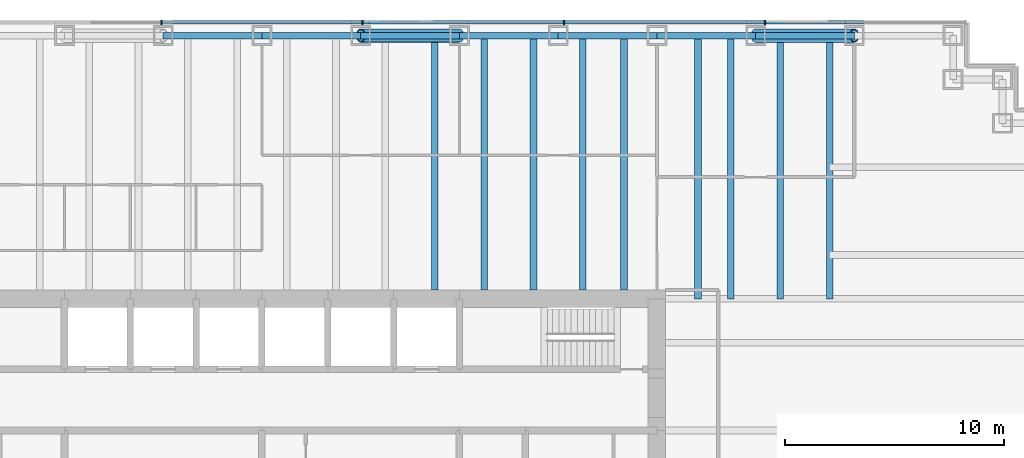
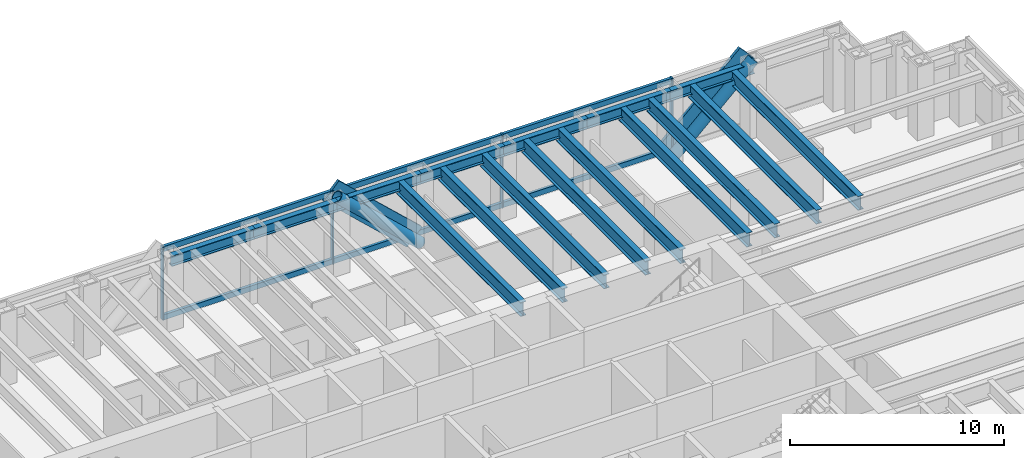
# One storey, part 7 of 19: 16 beams, 14 members, 1 element without a shape of its own.
"""IFC4 building model written with IfcOpenShell, lengths in metres."""

from ifc_helpers import new_model, si_unit, direction, frame, origin, origin_2d, place, context, subcontext, project, spatial, rectangle, hollow_circle, i_section, extrude, material, material_profile, profile_set, type_object, element, aggregate, save


model = new_model("IFC4")

# Units and contexts
model_context = context("Model", 3, precision=1e-05, world=origin(), true_north=direction((0.0, 1.0)))
body_context = subcontext(model_context, "Body", "Model", "MODEL_VIEW")
ifc_project = project(units=[si_unit("LENGTHUNIT", "METRE"), si_unit("AREAUNIT", "SQUARE_METRE"), si_unit("VOLUMEUNIT", "CUBIC_METRE"), si_unit("PLANEANGLEUNIT", "RADIAN"), si_unit("MASSUNIT", "GRAM", prefix="KILO")], contexts=[model_context])

# Site, building, storey
site_placement = place(None, origin())
site = spatial("IfcSite", under=ifc_project, at=site_placement, CompositionType="ELEMENT")
building_placement = place(site_placement, origin())
building = spatial("IfcBuilding", under=site, at=building_placement, Name="Rheinbord Bourse Tower", CompositionType="ELEMENT")
storey_placement = place(building_placement, frame((0.0, 0.0, 206.800048828125)))
storey = spatial("IfcBuildingStorey", under=building, at=storey_placement, Name="L46", CompositionType="ELEMENT", Elevation=206.800048828125)

# Curtain wall, members
ifc_material_1 = material(Name="Dark glass and black aluminium", Category="aluminium")
curtain_wall_type = type_object("IfcCurtainWallType", Name="CW2 DARK GLASS CURTAIN WALL", PredefinedType="USERDEFINED", material=ifc_material_1)
curtain_wall_placement = place(storey_placement, origin())
curtain_wall = element("IfcCurtainWall", 1, at=curtain_wall_placement, inside=storey, type_object=curtain_wall_type, Name="Curtain wall CW2 N L46", ObjectType="UNITISED CURTAIN WALL", PredefinedType="USERDEFINED")
ifc_material_2 = material(Name="Black anodised aluminium", Category="aluminium")
ifc_material_profile_1 = material_profile(ifc_material_2, rectangle(XDim=0.159912109375, YDim=1.2099609375, at=origin_2d()), Name="CW2 DIAGONAL MULLION 1210x160")
ifc_profile_set_1 = profile_set([ifc_material_profile_1], Name="Black anodised aluminium")
member_type_1 = type_object("IfcMemberType", Name="CW2 BLACK DIAGONAL MULLION", PredefinedType="USERDEFINED", material=ifc_profile_set_1)
member_1_placement = place(storey_placement, frame((45.0, 44.60009765625, 0.0), z_axis=(-0.73105922506, 0.0, 0.682314010889), x_axis=(0.0, -1.0, 0.0)))
member_1 = element("IfcMember", 2, at=member_1_placement, type_object=member_type_1, Name="CW2 diagonal mullion a", ObjectType="DIAGONAL MULLION", PredefinedType="USERDEFINED", context=body_context, shape_type="SweptSolid", body=[
    extrude(rectangle(XDim=0.159912109375, YDim=1.2099609375, at=origin_2d()), origin(), (0.0, 0.0, 1.0), 6.155517578125),
])
member_2_placement = place(storey_placement, frame((58.5, 44.60009765625, 0.0), z_axis=(0.73105922506, 0.0, 0.682314010889), x_axis=(0.0, 1.0, 0.0)))
member_2 = element("IfcMember", 3, at=member_2_placement, type_object=member_type_1, Name="CW2 diagonal mullion d", ObjectType="DIAGONAL MULLION", PredefinedType="USERDEFINED", context=body_context, shape_type="SweptSolid", body=[
    extrude(rectangle(XDim=0.159912109375, YDim=1.2099609375, at=origin_2d()), origin(), (0.0, 0.0, 1.0), 6.155517578125),
])
ifc_material_3 = material(Name="Black anodised aluminium", Category="aluminium")
ifc_material_profile_2 = material_profile(ifc_material_3, rectangle(XDim=0.219970703125, YDim=0.070068359375, at=origin_2d()), Name="CW2 MULLION 70x220")
ifc_profile_set_2 = profile_set([ifc_material_profile_2], Name="Black anodised aluminium")
member_type_2 = type_object("IfcMemberType", Name="CW2 BLACK MULLION", PredefinedType="MULLION", material=ifc_profile_set_2)
member_3_placement = place(storey_placement, frame((58.928466796875, 44.60009765625, 0.0), z_axis=(0.0, 0.0, 1.0), x_axis=(0.0, -1.0, 0.0)))
member_3 = element("IfcMember", 4, at=member_3_placement, type_object=member_type_2, Name="CW2 mullion 2", PredefinedType="MULLION", context=body_context, shape_type="SweptSolid", body=[
    extrude(rectangle(XDim=0.219970703125, YDim=0.070068359375, at=origin_2d()), origin(), (0.0, 0.0, 1.0), 4.199951171875),
])
member_4_placement = place(storey_placement, frame((49.757080078125, 44.60009765625, 0.0), z_axis=(0.0, 0.0, 1.0), x_axis=(0.0, -1.0, 0.0)))
member_4 = element("IfcMember", 5, at=member_4_placement, type_object=member_type_2, Name="CW2 mullion 3", PredefinedType="MULLION", context=body_context, shape_type="SweptSolid", body=[
    extrude(rectangle(XDim=0.219970703125, YDim=0.070068359375, at=origin_2d()), origin(), (0.0, 0.0, 1.0), 4.199951171875),
])
member_5_placement = place(storey_placement, frame((40.585693359375, 44.60009765625, 0.0), z_axis=(0.0, 0.0, 1.0), x_axis=(0.0, -1.0, 0.0)))
member_5 = element("IfcMember", 6, at=member_5_placement, type_object=member_type_2, Name="CW2 mullion 4", PredefinedType="MULLION", context=body_context, shape_type="SweptSolid", body=[
    extrude(rectangle(XDim=0.219970703125, YDim=0.070068359375, at=origin_2d()), origin(), (0.0, 0.0, 1.0), 4.199951171875),
])
member_6_placement = place(storey_placement, frame((31.414306640625, 44.60009765625, 0.0), z_axis=(0.0, 0.0, 1.0), x_axis=(0.0, -1.0, 0.0)))
member_6 = element("IfcMember", 7, at=member_6_placement, type_object=member_type_2, Name="CW2 mullion 5", PredefinedType="MULLION", context=body_context, shape_type="SweptSolid", body=[
    extrude(rectangle(XDim=0.219970703125, YDim=0.070068359375, at=origin_2d()), origin(), (0.0, 0.0, 1.0), 4.199951171875),
])
ifc_material_4 = material(Name="Black anodised aluminium", Category="aluminium")
ifc_material_profile_3 = material_profile(ifc_material_4, rectangle(XDim=0.159912109375, YDim=0.300048828125, at=origin_2d()), Name="CW2 TRANSOM 300x160")
ifc_profile_set_3 = profile_set([ifc_material_profile_3], Name="Black anodised aluminium")
member_type_3 = type_object("IfcMemberType", Name="CW2 BLACK TRANSOM", PredefinedType="USERDEFINED", material=ifc_profile_set_3)
member_7_placement = place(storey_placement, frame((58.8935546875, 44.60009765625, 0.14990234375), z_axis=(-1.0, 0.0, 0.0), x_axis=(0.0, -1.0, 0.0)))
member_7 = element("IfcMember", 8, at=member_7_placement, type_object=member_type_3, Name="CW2 transom 2.1", ObjectType="TRANSOM", PredefinedType="USERDEFINED", context=body_context, shape_type="SweptSolid", body=[
    extrude(rectangle(XDim=0.159912109375, YDim=0.300048828125, at=origin_2d()), origin(), (0.0, 0.0, 1.0), 9.101318359375),
])
member_8_placement = place(storey_placement, frame((58.8935546875, 44.60009765625, 4.050048828125), z_axis=(-1.0, 0.0, 0.0), x_axis=(0.0, -1.0, 0.0)))
member_8 = element("IfcMember", 9, at=member_8_placement, type_object=member_type_3, Name="CW2 transom 2.2", ObjectType="TRANSOM", PredefinedType="USERDEFINED", context=body_context, shape_type="SweptSolid", body=[
    extrude(rectangle(XDim=0.159912109375, YDim=0.300048828125, at=origin_2d()), origin(), (0.0, 0.0, 1.0), 9.101318359375),
])
member_9_placement = place(storey_placement, frame((49.72216796875, 44.60009765625, 0.14990234375), z_axis=(-1.0, 0.0, 0.0), x_axis=(0.0, -1.0, 0.0)))
member_9 = element("IfcMember", 10, at=member_9_placement, type_object=member_type_3, Name="CW2 transom 3.1", ObjectType="TRANSOM", PredefinedType="USERDEFINED", context=body_context, shape_type="SweptSolid", body=[
    extrude(rectangle(XDim=0.159912109375, YDim=0.300048828125, at=origin_2d()), origin(), (0.0, 0.0, 1.0), 9.1015625),
])
member_10_placement = place(storey_placement, frame((49.72216796875, 44.60009765625, 4.050048828125), z_axis=(-1.0, 0.0, 0.0), x_axis=(0.0, -1.0, 0.0)))
member_10 = element("IfcMember", 11, at=member_10_placement, type_object=member_type_3, Name="CW2 transom 3.2", ObjectType="TRANSOM", PredefinedType="USERDEFINED", context=body_context, shape_type="SweptSolid", body=[
    extrude(rectangle(XDim=0.159912109375, YDim=0.300048828125, at=origin_2d()), origin(), (0.0, 0.0, 1.0), 9.1015625),
])
member_11_placement = place(storey_placement, frame((40.55078125, 44.60009765625, 0.14990234375), z_axis=(-1.0, 0.0, 0.0), x_axis=(0.0, -1.0, 0.0)))
member_11 = element("IfcMember", 12, at=member_11_placement, type_object=member_type_3, Name="CW2 transom 4.1", ObjectType="TRANSOM", PredefinedType="USERDEFINED", context=body_context, shape_type="SweptSolid", body=[
    extrude(rectangle(XDim=0.159912109375, YDim=0.300048828125, at=origin_2d()), origin(), (0.0, 0.0, 1.0), 9.1015625),
])
member_12_placement = place(storey_placement, frame((40.55078125, 44.60009765625, 4.050048828125), z_axis=(-1.0, 0.0, 0.0), x_axis=(0.0, -1.0, 0.0)))
member_12 = element("IfcMember", 13, at=member_12_placement, type_object=member_type_3, Name="CW2 transom 4.2", ObjectType="TRANSOM", PredefinedType="USERDEFINED", context=body_context, shape_type="SweptSolid", body=[
    extrude(rectangle(XDim=0.159912109375, YDim=0.300048828125, at=origin_2d()), origin(), (0.0, 0.0, 1.0), 9.1015625),
])
aggregate(curtain_wall, [member_3, member_4, member_5, member_6, member_7, member_8, member_9, member_10, member_11, member_12, member_1, member_2])

# Beams
ifc_material_5 = material(Name="Steel S460", Category="steel")
ifc_material_profile_4 = material_profile(ifc_material_5, i_section(OverallWidth=0.300048828125, OverallDepth=0.800048828125, WebThickness=0.017578125, FlangeThickness=0.032958984375, at=origin_2d()), Name="HEB 800")
ifc_profile_set_4 = profile_set([ifc_material_profile_4], Name="Steel S460")
beam_type_1 = type_object("IfcBeamType", Name="FLOOR BEAM HEB 800", PredefinedType="BEAM", material=ifc_profile_set_4)
for number, where, z_axis, x_axis, name in (
    (14, (43.875, 44.0, 3.639892578125), (0.0, -1.0, 0.0), (1.0, 0.0, 0.0), "Floor beam N-40.5b L47"),
    (15, (46.125, 44.0, 3.639892578125), (0.0, -1.0, 0.0), (1.0, 0.0, 0.0), "Floor beam N-45a L47"),
    (16, (48.375, 44.0, 3.639892578125), (0.0, -1.0, 0.0), (1.0, 0.0, 0.0), "Floor beam N-45b L47"),
    (17, (50.625, 44.0, 3.639892578125), (0.0, -1.0, 0.0), (1.0, 0.0, 0.0), "Floor beam N-49.5a L47"),
    (18, (52.5, 44.0, 3.639892578125), (0.0, -1.0, 0.0), (1.0, 0.0, 0.0), "Floor beam N-49.5b L47"),
):
    element("IfcBeam", number, at=place(storey_placement, frame(where, z_axis=z_axis, x_axis=x_axis)), inside=storey, type_object=beam_type_1, Name=name, PredefinedType="BEAM", context=body_context, shape_type="SweptSolid", body=[
        extrude(i_section(OverallWidth=0.300048828125, OverallDepth=0.800048828125, WebThickness=0.017578125, FlangeThickness=0.032958984375, at=origin_2d()), origin(), (0.0, 0.0, 1.0), 11.60009765625),
    ])
for number, where, z_axis, x_axis, name in (
    (19, (55.875, 44.0, 3.639892578125), (0.0, -1.0, 0.0), (1.0, 0.0, 0.0), "Floor beam N-54a L47"),
    (20, (57.375, 44.0, 3.639892578125), (0.0, -1.0, 0.0), (1.0, 0.0, 0.0), "Floor beam N-54b L47"),
    (21, (59.625, 44.0, 3.639892578125), (0.0, -1.0, 0.0), (1.0, 0.0, 0.0), "Floor beam N-58.5a L47"),
    (22, (61.875, 44.0, 3.639892578125), (0.0, -1.0, 0.0), (1.0, 0.0, 0.0), "Floor beam N-58.5b L47"),
):
    element("IfcBeam", number, at=place(storey_placement, frame(where, z_axis=z_axis, x_axis=x_axis)), inside=storey, type_object=beam_type_1, Name=name, PredefinedType="BEAM", context=body_context, shape_type="SweptSolid", body=[
        extrude(i_section(OverallWidth=0.300048828125, OverallDepth=0.800048828125, WebThickness=0.017578125, FlangeThickness=0.032958984375, at=origin_2d()), origin(), (0.0, 0.0, 1.0), 12.0),
    ])

# Members
ifc_material_6 = material(Name="Steel S460", Category="steel")
ifc_material_profile_5 = material_profile(ifc_material_6, hollow_circle(Radius=0.304931640625, WallThickness=0.0400390625, at=origin_2d()), Name="CHS 610x40")
ifc_profile_set_5 = profile_set([ifc_material_profile_5], Name="Steel S460")
member_type_4 = type_object("IfcMemberType", Name="MEGABRACE CHS 610x40", PredefinedType="BRACE", material=ifc_profile_set_5)
for number, where, z_axis, x_axis, name in (
    (23, (45.0, 44.0, 0.0), (-0.73105922506, 0.0, 0.682314010889), (0.0, -1.0, 0.0), "Megabrace N face line a L46"),
    (24, (58.5, 44.0, 0.0), (0.73105922506, 0.0, 0.682314010889), (0.0, 1.0, 0.0), "Megabrace N face line d L46"),
):
    element("IfcMember", number, at=place(storey_placement, frame(where, z_axis=z_axis, x_axis=x_axis)), inside=storey, type_object=member_type_4, Name=name, PredefinedType="BRACE", context=body_context, shape_type="SweptSolid", body=[
        extrude(hollow_circle(Radius=0.304931640625, WallThickness=0.0400390625, at=origin_2d()), origin(), (0.0, 0.0, 1.0), 6.155517578125),
    ])

# Beams
ifc_material_7 = material(Name="Steel S460", Category="steel")
ifc_material_profile_6 = material_profile(ifc_material_7, i_section(OverallWidth=0.300048828125, OverallDepth=0.60009765625, WebThickness=0.015380859375, FlangeThickness=0.030029296875, at=origin_2d()), Name="HEB 600")
ifc_profile_set_6 = profile_set([ifc_material_profile_6], Name="Steel S460")
beam_type_2 = type_object("IfcBeamType", Name="SPANDREL HEB 600", PredefinedType="SPANDREL", material=ifc_profile_set_6)
for number, where, z_axis, x_axis, name in (
    (25, (63.0, 44.0, 3.739990234375), (-1.0, 0.0, 0.0), (0.0, -1.0, 0.0), "Spandrel N-63-N-58.5 under L47"),
    (26, (58.5, 44.0, 3.739990234375), (-1.0, 0.0, 0.0), (0.0, -1.0, 0.0), "Spandrel N-58.5-N-54 under L47"),
    (27, (54.0, 44.0, 3.739990234375), (-1.0, 0.0, 0.0), (0.0, -1.0, 0.0), "Spandrel N-54-N-49.5 under L47"),
    (28, (49.5, 44.0, 3.739990234375), (-1.0, 0.0, 0.0), (0.0, -1.0, 0.0), "Spandrel N-49.5-N-45 under L47"),
    (29, (45.0, 44.0, 3.739990234375), (-1.0, 0.0, 0.0), (0.0, -1.0, 0.0), "Spandrel N-45-N-40.5 under L47"),
    (30, (40.5, 44.0, 3.739990234375), (-1.0, 0.0, 0.0), (0.0, -1.0, 0.0), "Spandrel N-40.5-N-36 under L47"),
    (31, (36.0, 44.0, 3.739990234375), (-1.0, 0.0, 0.0), (0.0, -1.0, 0.0), "Spandrel N-36-N-31.5 under L47"),
):
    element("IfcBeam", number, at=place(storey_placement, frame(where, z_axis=z_axis, x_axis=x_axis)), inside=storey, type_object=beam_type_2, Name=name, PredefinedType="SPANDREL", context=body_context, shape_type="SweptSolid", body=[
        extrude(i_section(OverallWidth=0.300048828125, OverallDepth=0.60009765625, WebThickness=0.015380859375, FlangeThickness=0.030029296875, at=origin_2d()), origin(), (0.0, 0.0, 1.0), 4.5),
    ])

save(model, "model.ifc")
